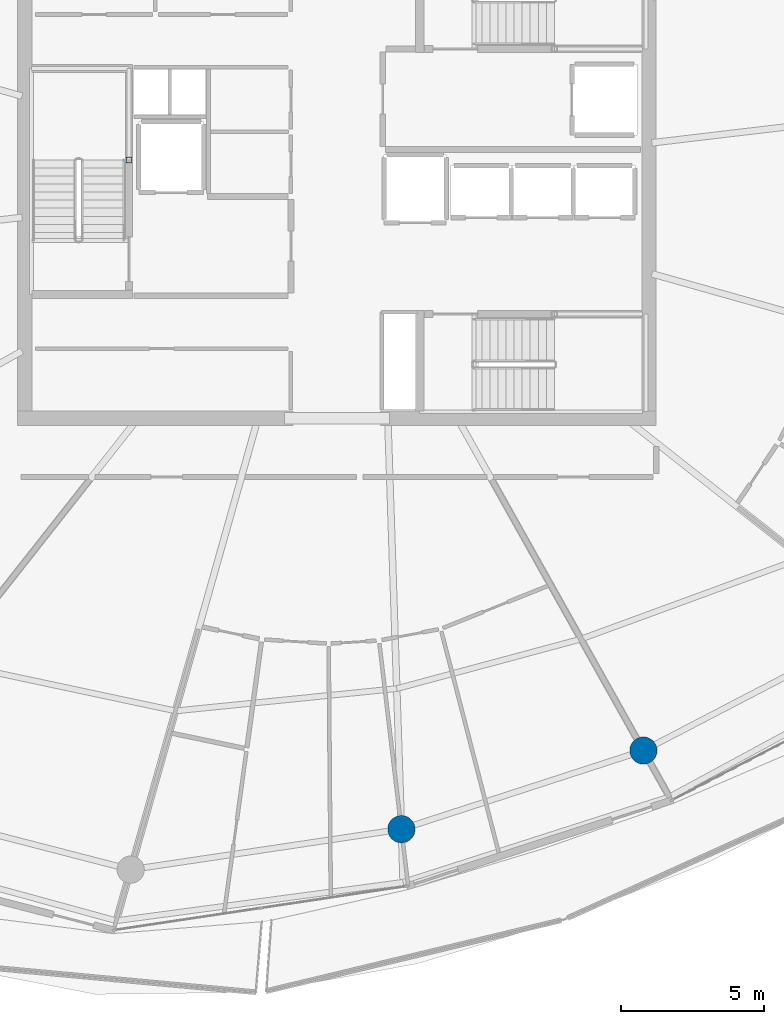
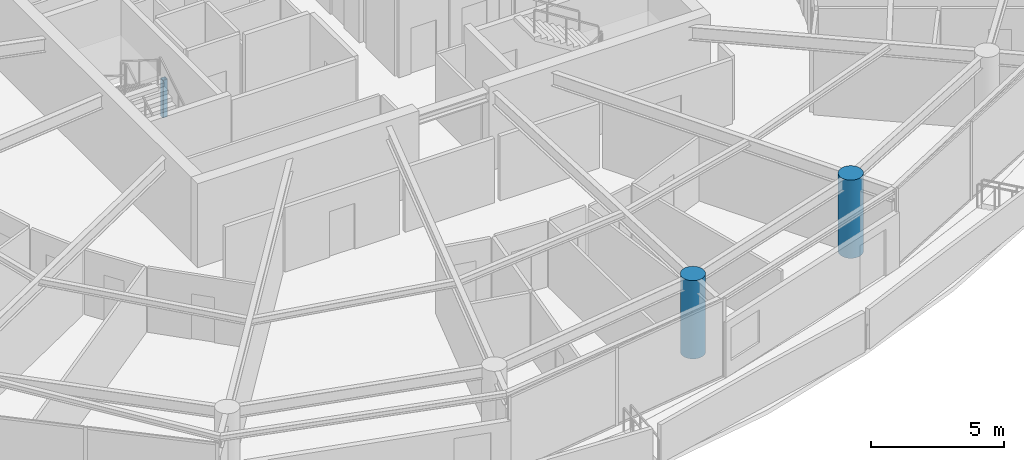
# One storey, part 2 of 30: 3 columns.
"""IFC4 building model written with IfcOpenShell, lengths in metres."""

from ifc_helpers import new_model, si_unit, direction, frame, origin, origin_2d, place, context, subcontext, project, spatial, hollow_rectangle, circle, extrude, material, material_profile, profile_set, type_object, element, save


model = new_model("IFC4")

# Units and contexts
model_context = context("Model", 3, precision=1e-05, world=origin(), true_north=direction((0.0, 1.0)))
body_context = subcontext(model_context, "Body", "Model", "MODEL_VIEW")
ifc_project = project(units=[si_unit("LENGTHUNIT", "METRE"), si_unit("AREAUNIT", "SQUARE_METRE"), si_unit("VOLUMEUNIT", "CUBIC_METRE"), si_unit("PLANEANGLEUNIT", "RADIAN"), si_unit("MASSUNIT", "GRAM", prefix="KILO")], contexts=[model_context])

# Site, building, storey
site_placement = place(None, origin())
site = spatial("IfcSite", under=ifc_project, at=site_placement, CompositionType="ELEMENT")
building_placement = place(site_placement, origin())
building = spatial("IfcBuilding", under=site, at=building_placement, Name="Kazma Halo Residences", CompositionType="ELEMENT")
storey_placement = place(building_placement, frame((0.0, 0.0, 294.449951171875)))
storey = spatial("IfcBuildingStorey", under=building, at=storey_placement, Name="L74", CompositionType="ELEMENT", Elevation=294.449951171875)

# Columns
ifc_material_1 = material(Name="Steel S355", Category="steel")
ifc_material_profile_1 = material_profile(ifc_material_1, hollow_rectangle(XDim=0.199951171875, YDim=0.199951171875, WallThickness=0.010009765625, InnerFilletRadius=0.010009765625, OuterFilletRadius=0.02001953125, at=origin_2d()), Name="SHS200x200x10")
ifc_profile_set_1 = profile_set([ifc_material_profile_1], Name="Steel S355")
column_type_1 = type_object("IfcColumnType", Name="COL-LP-SHS200", PredefinedType="COLUMN", material=ifc_profile_set_1)
column_placement = place(storey_placement, frame((41.179931640625, 42.75, 0.0), z_axis=(0.0, 0.0, 1.0), x_axis=(1.0, 0.0, 0.0)))
element("IfcColumn", 1, at=column_placement, inside=storey, type_object=column_type_1, Name="L74 ST-01 landing pilaster 1", PredefinedType="COLUMN", context=body_context, shape_type="SweptSolid", body=[
    extrude(hollow_rectangle(XDim=0.199951171875, YDim=0.199951171875, WallThickness=0.010009765625, InnerFilletRadius=0.010009765625, OuterFilletRadius=0.02001953125, at=origin_2d()), origin(), (0.0, 0.0, 1.0), 1.719970703125),
])
ifc_material_2 = material(Name="Concrete C60/75", Category="concrete")
ifc_material_profile_2 = material_profile(ifc_material_2, circle(Radius=0.47509765625, at=origin_2d()), Name="CIRC950")
ifc_profile_set_2 = profile_set([ifc_material_profile_2], Name="Concrete C60/75")
column_type_2 = type_object("IfcColumnType", Name="COL-PERIM-950", PredefinedType="COLUMN", material=ifc_profile_set_2)
for number, where, z_axis, x_axis, name in (
    (2, (50.67138671875, 19.42919921875, 0.0), (0.0, 0.0, 1.0), (1.0, 0.0, 0.0), "L74 perimeter ring column P12"),
    (3, (59.10546875, 22.169677734375, 0.0), (0.0, 0.0, 1.0), (1.0, 0.0, 0.0), "L74 perimeter ring column P13"),
):
    element("IfcColumn", number, at=place(storey_placement, frame(where, z_axis=z_axis, x_axis=x_axis)), inside=storey, type_object=column_type_2, Name=name, PredefinedType="COLUMN", context=body_context, shape_type="SweptSolid", body=[
        extrude(circle(Radius=0.47509765625, at=origin_2d()), origin(), (0.0, 0.0, 1.0), 3.590087890625),
    ])

save(model, "model.ifc")
